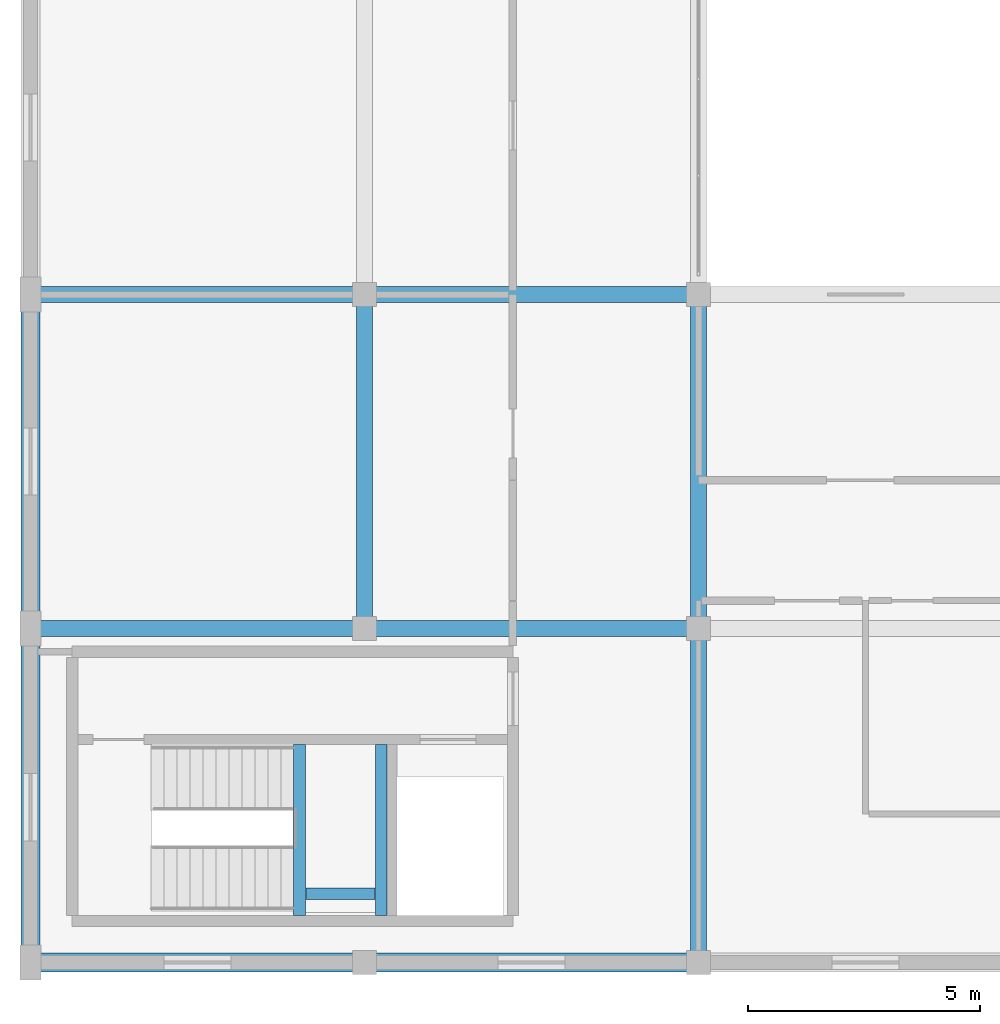
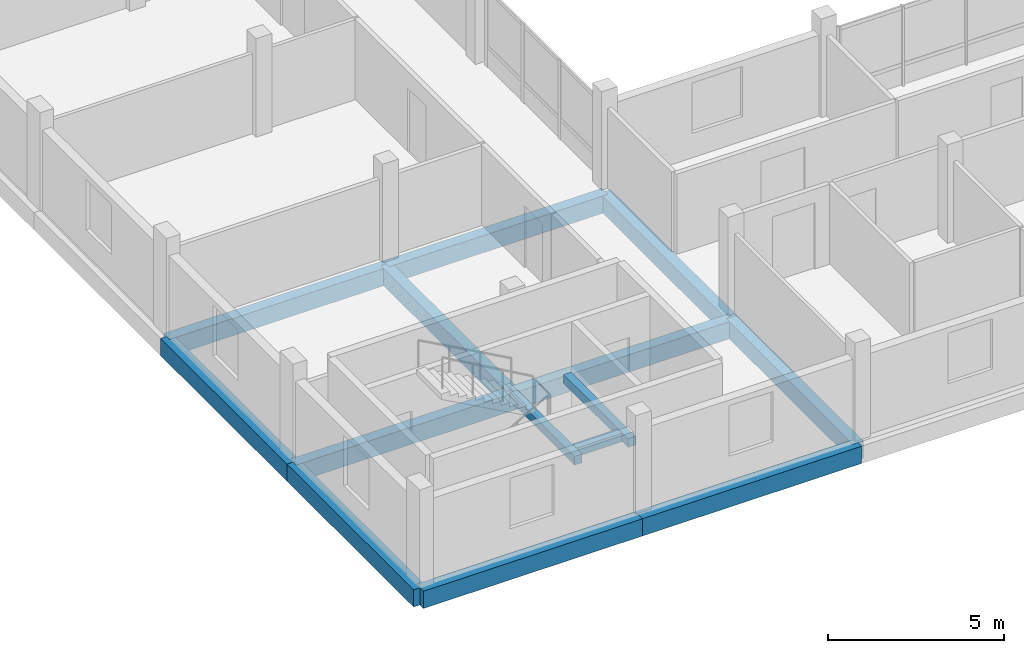
# One storey, part 3 of 26: 14 beams.
"""IFC4 building model written with IfcOpenShell, lengths in metres."""

from ifc_helpers import new_model, si_unit, direction, frame, origin, origin_2d, place, context, subcontext, project, spatial, rectangle, extrude, material, material_profile, profile_set, type_object, element, save


model = new_model("IFC4")

# Units and contexts
model_context = context("Model", 3, precision=1e-05, world=origin(), true_north=direction((0.0, 1.0)))
body_context = subcontext(model_context, "Body", "Model", "MODEL_VIEW")
ifc_project = project(units=[si_unit("LENGTHUNIT", "METRE"), si_unit("AREAUNIT", "SQUARE_METRE"), si_unit("VOLUMEUNIT", "CUBIC_METRE"), si_unit("PLANEANGLEUNIT", "RADIAN"), si_unit("MASSUNIT", "GRAM", prefix="KILO")], contexts=[model_context])

# Site, building, storey
site_placement = place(None, origin())
site = spatial("IfcSite", under=ifc_project, at=site_placement, CompositionType="ELEMENT")
building_placement = place(site_placement, origin())
building = spatial("IfcBuilding", under=site, at=building_placement, Name="Zornivar Specialist Clinic", CompositionType="ELEMENT")
storey_placement = place(building_placement, frame((0.0, 0.0, 19.699951171875)))
storey = spatial("IfcBuildingStorey", under=building, at=storey_placement, Name="L05", CompositionType="ELEMENT", Elevation=19.699951171875)

# Beams
ifc_material_1 = material(Name="Concrete C30/37", Category="concrete")
ifc_material_profile_1 = material_profile(ifc_material_1, rectangle(XDim=0.25, YDim=0.300048828125, at=origin_2d()), Name="RC 250x300")
ifc_profile_set_1 = profile_set([ifc_material_profile_1], Name="Concrete C30/37")
beam_type_1 = type_object("IfcBeamType", Name="BM-LAND-250x300", PredefinedType="BEAM", material=ifc_profile_set_1)
for number, where, z_axis, x_axis, name in (
    (1, (5.800048828125, 1.02001953125, 1.52001953125), (0.0, 1.0, 0.0), (-1.0, 0.0, 0.0), "bm:stair:C1:L05:lW"),
    (2, (7.56005859375, 1.02001953125, 1.52001953125), (0.0, 1.0, 0.0), (-1.0, 0.0, 0.0), "bm:stair:C1:L05:lE"),
):
    element("IfcBeam", number, at=place(storey_placement, frame(where, z_axis=z_axis, x_axis=x_axis)), inside=storey, type_object=beam_type_1, Name=name, PredefinedType="BEAM", context=body_context, shape_type="SweptSolid", body=[
        extrude(rectangle(XDim=0.25, YDim=0.300048828125, at=origin_2d()), origin(), (0.0, 0.0, 1.0), 3.679931640625),
    ])
beam_placement = place(storey_placement, frame((5.93505859375, 1.47998046875, 1.52001953125), z_axis=(1.0, 0.0, 0.0), x_axis=(0.0, 1.0, 0.0)))
element("IfcBeam", 3, at=beam_placement, inside=storey, type_object=beam_type_1, Name="bm:stair:C1:L05:lS", PredefinedType="BEAM", context=body_context, shape_type="SweptSolid", body=[
    extrude(rectangle(XDim=0.25, YDim=0.300048828125, at=origin_2d()), origin(), (0.0, 0.0, 1.0), 1.489990234375),
])
ifc_material_2 = material(Name="Concrete C30/37", Category="concrete")
ifc_material_profile_2 = material_profile(ifc_material_2, rectangle(XDim=0.35009765625, YDim=0.60009765625, at=origin_2d()), Name="RC 350x600")
ifc_profile_set_2 = profile_set([ifc_material_profile_2], Name="Concrete C30/37")
beam_type_2 = type_object("IfcBeamType", Name="BM-RC-350x600", PredefinedType="BEAM", material=ifc_profile_set_2)
for number, where, z_axis, x_axis, name in (
    (4, (0.0, 7.199951171875, -0.579833984375), (1.0, 0.0, 0.0), (0.0, 1.0, 0.0), "bm:V2:L05:x:72:0"),
    (5, (7.199951171875, 7.199951171875, -0.579833984375), (1.0, 0.0, 0.0), (0.0, 1.0, 0.0), "bm:V2:L05:x:72:1"),
    (6, (0.0, 14.39990234375, -0.579833984375), (1.0, 0.0, 0.0), (0.0, 1.0, 0.0), "bm:V2:L05:x:144:0"),
    (7, (7.199951171875, 14.39990234375, -0.579833984375), (1.0, 0.0, 0.0), (0.0, 1.0, 0.0), "bm:V2:L05:x:144:1"),
    (8, (7.199951171875, 7.199951171875, -0.579833984375), (0.0, 1.0, 0.0), (-1.0, 0.0, 0.0), "bm:V2:L05:y:72:1"),
    (9, (14.39990234375, 0.0, -0.579833984375), (0.0, 1.0, 0.0), (-1.0, 0.0, 0.0), "bm:V2:L05:y:144:0"),
    (10, (14.39990234375, 7.199951171875, -0.579833984375), (0.0, 1.0, 0.0), (-1.0, 0.0, 0.0), "bm:V2:L05:y:144:1"),
):
    element("IfcBeam", number, at=place(storey_placement, frame(where, z_axis=z_axis, x_axis=x_axis)), inside=storey, type_object=beam_type_2, Name=name, PredefinedType="BEAM", context=body_context, shape_type="SweptSolid", body=[
        extrude(rectangle(XDim=0.35009765625, YDim=0.60009765625, at=origin_2d()), origin(), (0.0, 0.0, 1.0), 7.199951171875),
    ])
ifc_material_3 = material(Name="Concrete C30/37", Category="concrete")
ifc_material_profile_3 = material_profile(ifc_material_3, rectangle(XDim=0.409912109375, YDim=0.60009765625, at=origin_2d()), Name="RC 410x600")
ifc_profile_set_3 = profile_set([ifc_material_profile_3], Name="Concrete C30/37")
beam_type_3 = type_object("IfcBeamType", Name="BM-RC-SPANDREL-410x600", PredefinedType="SPANDREL", material=ifc_profile_set_3)
for number, where, z_axis, x_axis, name in (
    (11, (0.0, 0.0, -0.579833984375), (1.0, 0.0, 0.0), (0.0, 1.0, 0.0), "bm:V2:L05:x:0:0"),
    (12, (7.199951171875, 0.0, -0.579833984375), (1.0, 0.0, 0.0), (0.0, 1.0, 0.0), "bm:V2:L05:x:0:1"),
    (13, (0.0, 0.0, -0.579833984375), (0.0, 1.0, 0.0), (-1.0, 0.0, 0.0), "bm:V2:L05:y:0:0"),
    (14, (0.0, 7.199951171875, -0.579833984375), (0.0, 1.0, 0.0), (-1.0, 0.0, 0.0), "bm:V2:L05:y:0:1"),
):
    element("IfcBeam", number, at=place(storey_placement, frame(where, z_axis=z_axis, x_axis=x_axis)), inside=storey, type_object=beam_type_3, Name=name, PredefinedType="SPANDREL", context=body_context, shape_type="SweptSolid", body=[
        extrude(rectangle(XDim=0.409912109375, YDim=0.60009765625, at=origin_2d()), origin(), (0.0, 0.0, 1.0), 7.199951171875),
    ])

save(model, "model.ifc")
